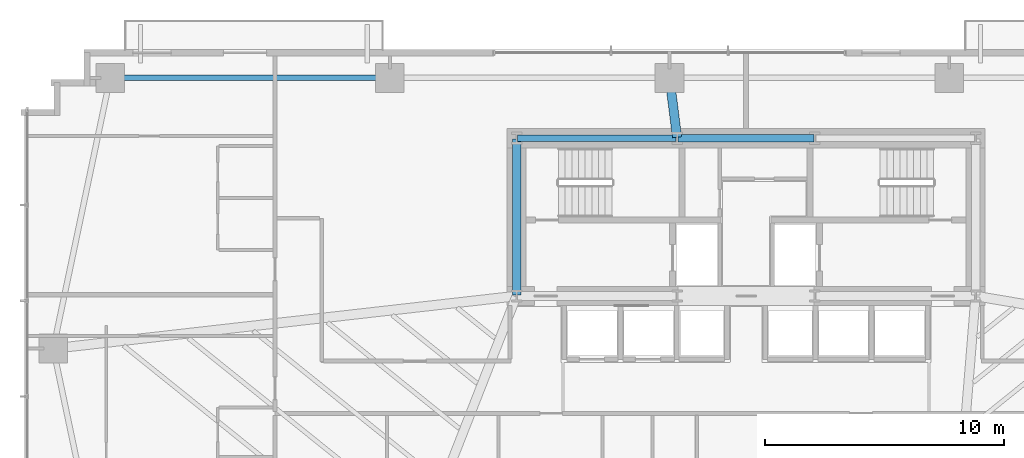
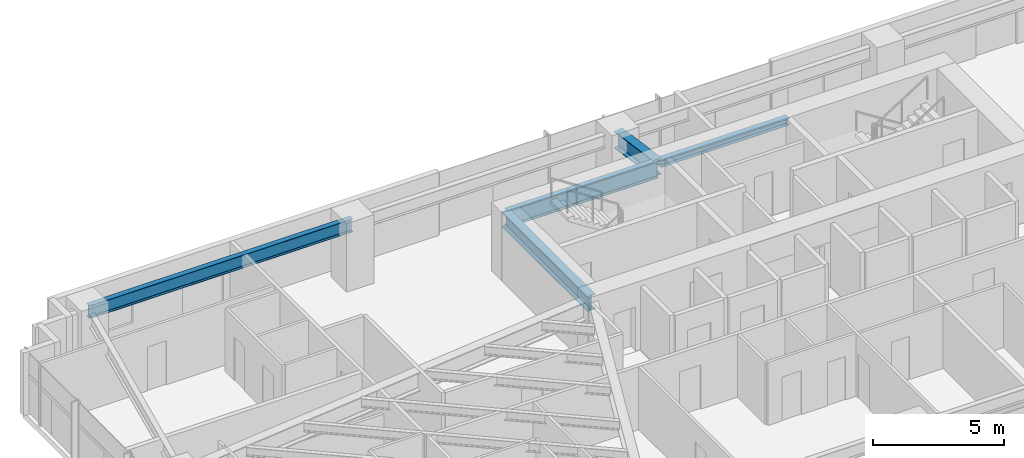
# One storey, part 9 of 25: 5 beams.
"""IFC4 building model written with IfcOpenShell, lengths in metres."""

from ifc_helpers import new_model, si_unit, direction, frame, origin, origin_2d, place, context, subcontext, project, spatial, i_section, extrude, source, transform, mapped, material, material_profile, profile_set, type_object, type_shapes, element, save


model = new_model("IFC4")

# Units and contexts
model_context = context("Model", 3, precision=1e-05, world=origin(), true_north=direction((0.0, 1.0)))
body_context = subcontext(model_context, "Body", "Model", "MODEL_VIEW")
ifc_project = project(units=[si_unit("LENGTHUNIT", "METRE"), si_unit("AREAUNIT", "SQUARE_METRE"), si_unit("VOLUMEUNIT", "CUBIC_METRE"), si_unit("PLANEANGLEUNIT", "RADIAN"), si_unit("MASSUNIT", "GRAM", prefix="KILO")], contexts=[model_context])

# Site, building, storey
site_placement = place(None, origin())
site = spatial("IfcSite", under=ifc_project, at=site_placement, CompositionType="ELEMENT")
building_placement = place(site_placement, origin())
building = spatial("IfcBuilding", under=site, at=building_placement, Name="Astriad Promenade Condominiums", CompositionType="ELEMENT")
storey_placement = place(building_placement, frame((0.0, 0.0, 35.800048828125)))
storey = spatial("IfcBuildingStorey", under=building, at=storey_placement, Name="L09", CompositionType="ELEMENT", Elevation=35.800048828125)

# Beams
ifc_material = material(Name="Steel ASTM A992 Grade 50", Category="steel")
ifc_material_profile_1 = material_profile(ifc_material, i_section(OverallWidth=0.267822265625, OverallDepth=0.76953125, WebThickness=0.015625, FlangeThickness=0.025390625, FilletRadius=0.021484375, at=origin_2d()), Name="W30X132")
ifc_profile_set_1 = profile_set([ifc_material_profile_1], Name="Steel ASTM A992 Grade 50")
beam_type_1 = type_object("IfcBeamType", Name="STEEL FLOOR GIRDER W30X132", PredefinedType="BEAM", material=ifc_profile_set_1)
shared_shape_1 = source(origin(), body_context, "Body", "SweptSolid", [
    extrude(i_section(OverallWidth=0.267822265625, OverallDepth=0.76953125, WebThickness=0.015625, FlangeThickness=0.025390625, FilletRadius=0.021484375, at=origin_2d()), origin(), (0.0, 0.0, 1.0), 6.64013671875),
])
type_shapes(beam_type_1, [shared_shape_1])
beam_1_placement = place(storey_placement, frame((26.43994140625, 24.0, 2.55517578125), z_axis=(1.0, 0.0, 0.0), x_axis=(0.0, 1.0, 0.0)))
element("IfcBeam", 1, at=beam_1_placement, inside=storey, type_object=beam_type_1, Name="Core Ring Beam CG-N1-L09", PredefinedType="BEAM", context=body_context, shape_type="MappedRepresentation", body=[
    mapped(shared_shape_1, transform((0.0, 0.0, 0.0), scale=1.0)),
])
ifc_material_profile_2 = material_profile(ifc_material, i_section(OverallWidth=0.3046875, OverallDepth=0.307861328125, WebThickness=0.010009765625, FlangeThickness=0.015380859375, FilletRadius=0.01513671875, at=origin_2d()), Name="W12X65")
ifc_profile_set_2 = profile_set([ifc_material_profile_2], Name="Steel ASTM A992 Grade 50")
beam_type_2 = type_object("IfcBeamType", Name="STEEL OPENING LINTEL W12X65", PredefinedType="LINTEL", material=ifc_profile_set_2)
shared_shape_2 = source(origin(), body_context, "Body", "SweptSolid", [
    extrude(i_section(OverallWidth=0.3046875, OverallDepth=0.307861328125, WebThickness=0.010009765625, FlangeThickness=0.015380859375, FilletRadius=0.01513671875, at=origin_2d()), origin(), (0.0, 0.0, 1.0), 5.68017578125),
])
type_shapes(beam_type_2, [shared_shape_2])
beam_2_placement = place(storey_placement, frame((33.159912109375, 24.0, 2.7861328125), z_axis=(1.0, 0.0, 0.0), x_axis=(0.0, 1.0, 0.0)))
element("IfcBeam", 2, at=beam_2_placement, inside=storey, type_object=beam_type_2, Name="Core Ring Beam CG-N2-L09", PredefinedType="LINTEL", context=body_context, shape_type="MappedRepresentation", body=[
    mapped(shared_shape_2, transform((0.0, 0.0, 0.0), scale=1.0)),
])
ifc_material_profile_3 = material_profile(ifc_material, i_section(OverallWidth=0.35791015625, OverallDepth=0.706298828125, WebThickness=0.018310546875, FlangeThickness=0.0302734375, FilletRadius=0.020263671875, at=origin_2d()), Name="W27X178")
ifc_profile_set_3 = profile_set([ifc_material_profile_3], Name="Steel ASTM A992 Grade 50")
beam_type_3 = type_object("IfcBeamType", Name="STEEL FLOOR GIRDER W27X178", PredefinedType="BEAM", material=ifc_profile_set_3)
shared_shape_3 = source(origin(), body_context, "Body", "SweptSolid", [
    extrude(i_section(OverallWidth=0.35791015625, OverallDepth=0.706298828125, WebThickness=0.018310546875, FlangeThickness=0.0302734375, FilletRadius=0.020263671875, at=origin_2d()), origin(), (0.0, 0.0, 1.0), 6.52001953125),
])
type_shapes(beam_type_3, [shared_shape_3])
beam_3_placement = place(storey_placement, frame((26.39990234375, 17.43994140625, 2.586669921875), z_axis=(0.0, 1.0, 0.0), x_axis=(-1.0, 0.0, 0.0)))
element("IfcBeam", 3, at=beam_3_placement, inside=storey, type_object=beam_type_3, Name="Core Ring Beam CG-W1-L09", PredefinedType="BEAM", context=body_context, shape_type="MappedRepresentation", body=[
    mapped(shared_shape_3, transform((0.0, 0.0, 0.0), scale=1.0)),
])
ifc_material_profile_4 = material_profile(ifc_material, i_section(OverallWidth=0.22900390625, OverallDepth=0.612060546875, WebThickness=0.011962890625, FlangeThickness=0.01953125, FilletRadius=0.017822265625, at=origin_2d()), Name="W24X84")
ifc_profile_set_4 = profile_set([ifc_material_profile_4], Name="Steel ASTM A992 Grade 50")
beam_type_4 = type_object("IfcBeamType", Name="STEEL SPANDREL BEAM W24X84", PredefinedType="SPANDREL", material=ifc_profile_set_4)
shared_shape_4 = source(origin(), body_context, "Body", "SweptSolid", [
    extrude(i_section(OverallWidth=0.22900390625, OverallDepth=0.612060546875, WebThickness=0.011962890625, FlangeThickness=0.01953125, FilletRadius=0.017822265625, at=origin_2d()), origin(), (0.0, 0.0, 1.0), 11.6201171875),
])
type_shapes(beam_type_4, [shared_shape_4])
beam_4_placement = place(storey_placement, frame((21.06005859375, 26.52001953125, 2.634033203125), z_axis=(-1.0, 0.0, 0.0), x_axis=(0.0, -1.0, 0.0)))
element("IfcBeam", 4, at=beam_4_placement, inside=storey, type_object=beam_type_4, Name="Perimeter Spandrel Beam SP-N1-L09", PredefinedType="SPANDREL", context=body_context, shape_type="MappedRepresentation", body=[
    mapped(shared_shape_4, transform((0.0, 0.0, 0.0), scale=1.0)),
])
ifc_material_profile_5 = material_profile(ifc_material, i_section(OverallWidth=0.3837890625, OverallDepth=0.785888671875, WebThickness=0.019775390625, FlangeThickness=0.033447265625, FilletRadius=0.021484375, at=origin_2d()), Name="W30X211")
ifc_profile_set_5 = profile_set([ifc_material_profile_5], Name="Steel ASTM A992 Grade 50")
beam_type_5 = type_object("IfcBeamType", Name="STEEL FLOOR GIRDER W30X211", PredefinedType="BEAM", material=ifc_profile_set_5)
shared_shape_5 = source(origin(), body_context, "Body", "SweptSolid", [
    extrude(i_section(OverallWidth=0.3837890625, OverallDepth=0.785888671875, WebThickness=0.019775390625, FlangeThickness=0.033447265625, FilletRadius=0.021484375, at=origin_2d()), origin(), (0.0, 0.0, 1.0), 2.4599609375),
])
type_shapes(beam_type_5, [shared_shape_5])
beam_5_placement = place(storey_placement, frame((32.804931640625, 26.480224609375, 2.547119140625), z_axis=(0.126037648346, -0.992025458947, 0.0), x_axis=(0.992025458947, 0.126037648346, 0.0)))
element("IfcBeam", 5, at=beam_5_placement, inside=storey, type_object=beam_type_5, Name="Primary Floor Girder PG-NC-L09", PredefinedType="BEAM", context=body_context, shape_type="MappedRepresentation", body=[
    mapped(shared_shape_5, transform((0.0, 0.0, 0.0), scale=1.0)),
])

save(model, "model.ifc")
